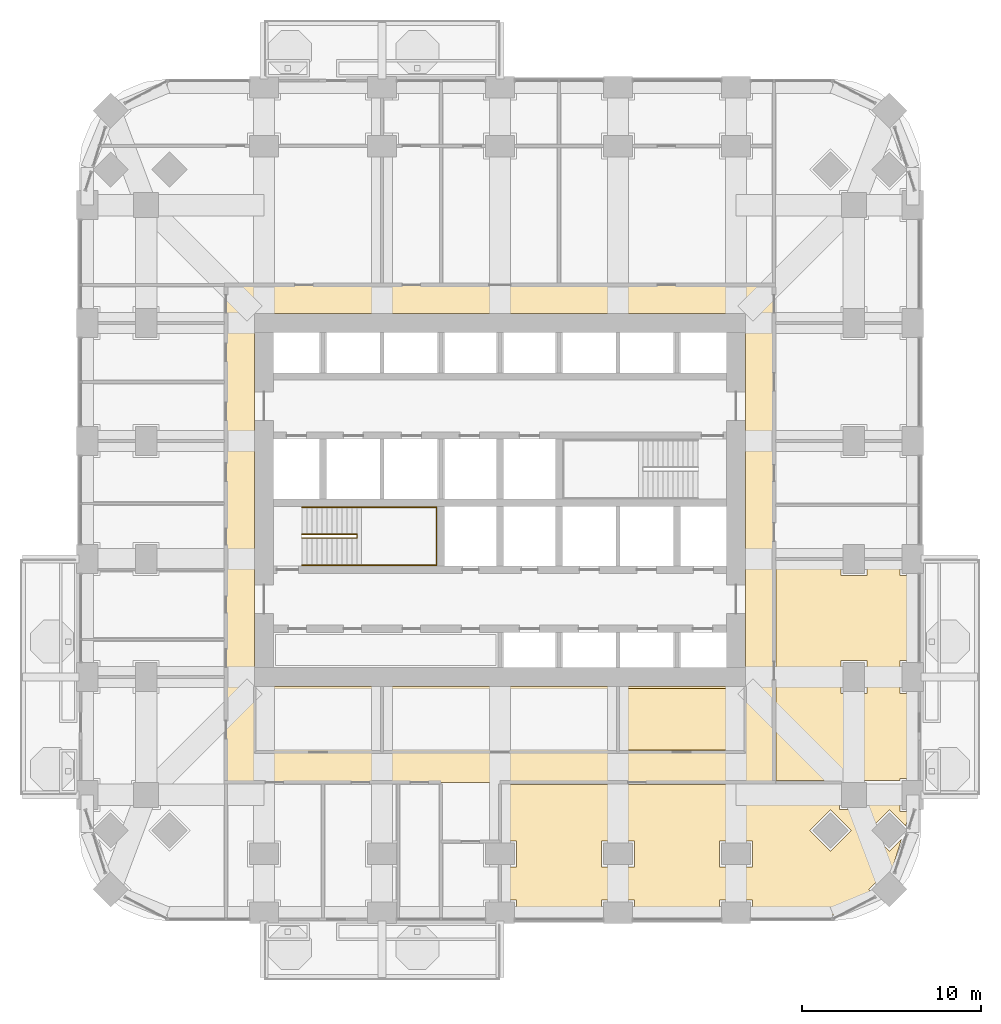
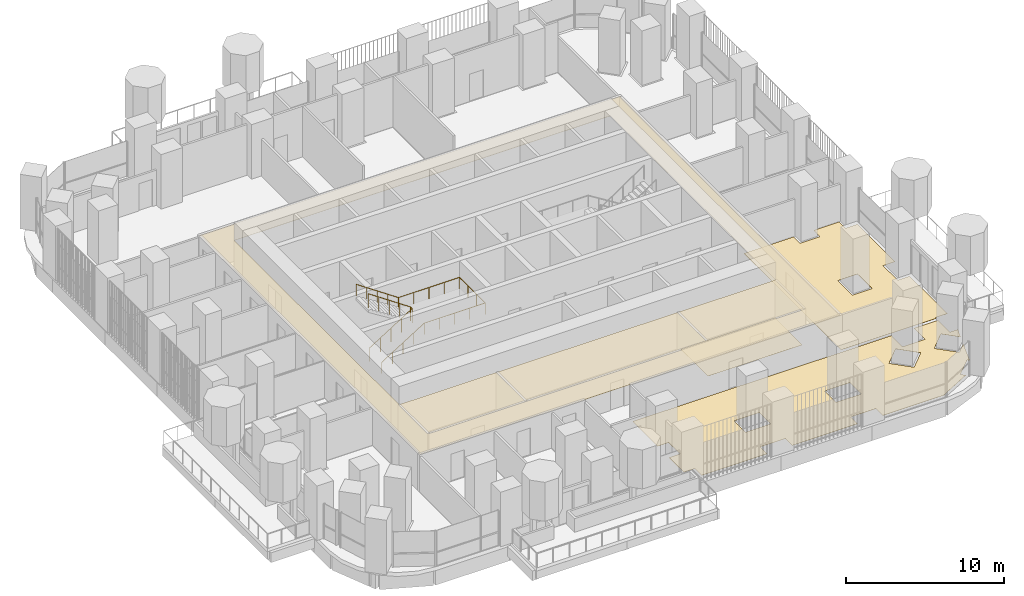
# One storey, part 18 of 21: 4 coverings, 2 railings.
"""IFC4 building model written with IfcOpenShell, lengths in metres."""

from ifc_helpers import new_model, si_unit, direction, frame, origin, place, context, subcontext, project, spatial, polyline, outline, extrude, material, layer, layer_set, type_object, element, save


model = new_model("IFC4")

# Units and contexts
model_context = context("Model", 3, precision=1e-05, world=origin(), true_north=direction((0.0, 1.0)))
body_context = subcontext(model_context, "Body", "Model", "MODEL_VIEW")
ifc_project = project(units=[si_unit("LENGTHUNIT", "METRE"), si_unit("AREAUNIT", "SQUARE_METRE"), si_unit("VOLUMEUNIT", "CUBIC_METRE"), si_unit("PLANEANGLEUNIT", "RADIAN"), si_unit("MASSUNIT", "GRAM", prefix="KILO")], contexts=[model_context])

# Site, building, storey
site_placement = place(None, origin())
site = spatial("IfcSite", under=ifc_project, at=site_placement, CompositionType="ELEMENT")
building_placement = place(site_placement, origin())
building = spatial("IfcBuilding", under=site, at=building_placement, Name="Cobogo Forest Laboratory Tower", CompositionType="ELEMENT")
storey_placement = place(building_placement, frame((0.0, 0.0, 90.60009765625)))
storey = spatial("IfcBuildingStorey", under=building, at=storey_placement, Name="L20", CompositionType="ELEMENT", Elevation=90.60009765625)

# Coverings
ifc_material_1 = material(Name="Mineral fibre ceiling tile", Category="ceiling")
ifc_layer_1 = layer(ifc_material_1, 0.02001953125)
ifc_layer_set_1 = layer_set([ifc_layer_1], Name="CL1 suspended ceiling")
covering_type_1 = type_object("IfcCoveringType", Name="CL1 suspended ceiling", PredefinedType="CEILING", material=ifc_layer_set_1)
covering_1_placement = place(storey_placement, frame((0.0, 0.0, 2.7998046875)))
element("IfcCovering", 1, at=covering_1_placement, inside=storey, type_object=covering_type_1, Name="Corridor ceiling L20", PredefinedType="CEILING", context=body_context, shape_type="SweptSolid", body=[
    extrude(outline(polyline([(11.074951171875, 7.300048828125), (11.074951171875, 35.125), (41.72509765625, 35.125), (41.72509765625, 7.300048828125), (11.074951171875, 7.300048828125)]), holes=[polyline([(40.125, 33.52490234375), (12.675048828125, 33.52490234375), (12.675048828125, 12.675048828125), (40.125, 12.675048828125), (40.125, 33.52490234375)])]), origin(), (0.0, 0.0, 1.0), 0.02001953125),
])
ifc_material_2 = material(Name="Carpet tile on raised access floor", Category="flooring")
ifc_layer_2 = layer(ifc_material_2, 0.008056640625)
ifc_layer_set_2 = layer_set([ifc_layer_2], Name="CT1 carpet tile floor 8")
covering_type_2 = type_object("IfcCoveringType", Name="CT1 carpet tile floor 8", PredefinedType="FLOORING", material=ifc_layer_set_2)
covering_2_placement = place(storey_placement, origin())
element("IfcCovering", 2, at=covering_2_placement, inside=storey, type_object=covering_type_2, Name="Carpet floor L20-09", PredefinedType="FLOORING", context=body_context, shape_type="SweptSolid", body=[
    extrude(outline(polyline([(41.844970703125, 19.679931640625), (45.47998046875, 19.679931640625), (45.47998046875, 18.8798828125), (46.919921875, 18.8798828125), (46.919921875, 19.679931640625), (48.780029296875, 19.679931640625), (48.780029296875, 18.8798828125), (49.64990234375, 18.8798828125), (49.64990234375, 14.1201171875), (48.780029296875, 14.1201171875), (48.780029296875, 12.280029296875), (49.64990234375, 12.280029296875), (49.64990234375, 7.52001953125), (48.780029296875, 7.52001953125), (48.780029296875, 7.419921875), (41.844970703125, 7.419921875), (41.844970703125, 19.679931640625)]), holes=[polyline([(45.47998046875, 12.280029296875), (46.919921875, 12.280029296875), (46.919921875, 14.1201171875), (45.47998046875, 14.1201171875), (45.47998046875, 12.280029296875)])]), origin(), (0.0, 0.0, 1.0), 0.0078125),
])

# Railings
ifc_material_3 = material(Name="Steel balustrade", Category="steel")
railing_type_1 = type_object("IfcRailingType", Name="GR stair guard 1100", PredefinedType="GUARDRAIL", material=ifc_material_3)
railing_1_placement = place(storey_placement, frame((15.324951171875, 20.969970703125, 0.1748046875)))
element("IfcRailing", 3, at=railing_1_placement, inside=storey, type_object=railing_type_1, Name="Stair guard ST1 L20", PredefinedType="GUARDRAIL", context=body_context, shape_type="SweptSolid", body=[
    extrude(outline(polyline([(0.022216796875, 0.00927734375), (0.00927734375, 0.022216796875), (-0.00927734375, 0.022216796875), (-0.022216796875, 0.00927734375), (-0.022216796875, -0.00927734375), (-0.00927734375, -0.022216796875), (0.00927734375, -0.022216796875), (0.022216796875, -0.00927734375), (0.022216796875, 0.00927734375)])), frame((0.0, 0.0, 1.077880859375), z_axis=(0.847998304005, 0.0, 0.529998940003), x_axis=(0.0, 1.0, 0.0)), (0.0, 0.0, 1.0), 3.632080078125),
    extrude(outline(polyline([(0.022216796875, 0.00927734375), (0.00927734375, 0.022216796875), (-0.00927734375, 0.022216796875), (-0.022216796875, 0.00927734375), (-0.022216796875, -0.00927734375), (-0.00927734375, -0.022216796875), (0.00927734375, -0.022216796875), (0.022216796875, -0.00927734375), (0.022216796875, 0.00927734375)])), frame((3.080078125, 0.0, 3.0029296875), z_axis=(0.0, 1.0, 0.0), x_axis=(-1.0, 0.0, 0.0)), (0.0, 0.0, 1.0), 0.2099609375),
    extrude(outline(polyline([(0.022216796875, 0.00927734375), (0.00927734375, 0.022216796875), (-0.00927734375, 0.022216796875), (-0.022216796875, 0.00927734375), (-0.022216796875, -0.00927734375), (-0.00927734375, -0.022216796875), (0.00927734375, -0.022216796875), (0.022216796875, -0.00927734375), (0.022216796875, 0.00927734375)])), frame((3.080078125, 0.2099609375, 3.0029296875), z_axis=(-0.826221800596, 0.0, 0.563344953133), x_axis=(0.0, -1.0, 0.0)), (0.0, 0.0, 1.0), 3.72802734375),
    extrude(outline(polyline([(0.019287109375, 0.008056640625), (0.008056640625, 0.019287109375), (-0.008056640625, 0.019287109375), (-0.019287109375, 0.008056640625), (-0.019287109375, -0.008056640625), (-0.008056640625, -0.019287109375), (0.008056640625, -0.019287109375), (0.019287109375, -0.008056640625), (0.019287109375, 0.008056640625)])), origin(), (0.0, 0.0, 1.0), 1.077880859375),
    extrude(outline(polyline([(0.019287109375, 0.008056640625), (0.008056640625, 0.019287109375), (-0.008056640625, 0.019287109375), (-0.019287109375, 0.008056640625), (-0.019287109375, -0.008056640625), (-0.008056640625, -0.019287109375), (0.008056640625, -0.019287109375), (0.019287109375, -0.008056640625), (0.019287109375, 0.008056640625)])), frame((0.77001953125, 0.0, 0.481201171875)), (0.0, 0.0, 1.0), 1.077880859375),
    extrude(outline(polyline([(0.019287109375, 0.008056640625), (0.008056640625, 0.019287109375), (-0.008056640625, 0.019287109375), (-0.019287109375, 0.008056640625), (-0.019287109375, -0.008056640625), (-0.008056640625, -0.019287109375), (0.008056640625, -0.019287109375), (0.019287109375, -0.008056640625), (0.019287109375, 0.008056640625)])), frame((1.5400390625, 0.0, 0.96240234375)), (0.0, 0.0, 1.0), 1.077880859375),
    extrude(outline(polyline([(0.019287109375, 0.008056640625), (0.008056640625, 0.019287109375), (-0.008056640625, 0.019287109375), (-0.019287109375, 0.008056640625), (-0.019287109375, -0.008056640625), (-0.008056640625, -0.019287109375), (0.008056640625, -0.019287109375), (0.019287109375, -0.008056640625), (0.019287109375, 0.008056640625)])), frame((2.31005859375, 0.0, 1.44384765625)), (0.0, 0.0, 1.0), 1.077880859375),
    extrude(outline(polyline([(0.019287109375, 0.008056640625), (0.008056640625, 0.019287109375), (-0.008056640625, 0.019287109375), (-0.019287109375, 0.008056640625), (-0.019287109375, -0.008056640625), (-0.008056640625, -0.019287109375), (0.008056640625, -0.019287109375), (0.019287109375, -0.008056640625), (0.019287109375, 0.008056640625)])), frame((3.080078125, 0.0, 1.925048828125)), (0.0, 0.0, 1.0), 1.077880859375),
    extrude(outline(polyline([(0.019287109375, 0.008056640625), (0.008056640625, 0.019287109375), (-0.008056640625, 0.019287109375), (-0.019287109375, 0.008056640625), (-0.019287109375, -0.008056640625), (-0.008056640625, -0.019287109375), (0.008056640625, -0.019287109375), (0.019287109375, -0.008056640625), (0.019287109375, 0.008056640625)])), frame((3.080078125, 0.2099609375, 1.925048828125)), (0.0, 0.0, 1.0), 1.077880859375),
    extrude(outline(polyline([(0.019287109375, 0.008056640625), (0.008056640625, 0.019287109375), (-0.008056640625, 0.019287109375), (-0.019287109375, 0.008056640625), (-0.019287109375, -0.008056640625), (-0.008056640625, -0.019287109375), (0.008056640625, -0.019287109375), (0.019287109375, -0.008056640625), (0.019287109375, 0.008056640625)])), frame((2.31005859375, 0.2099609375, 2.4501953125)), (0.0, 0.0, 1.0), 1.077880859375),
    extrude(outline(polyline([(0.019287109375, 0.008056640625), (0.008056640625, 0.019287109375), (-0.008056640625, 0.019287109375), (-0.019287109375, 0.008056640625), (-0.019287109375, -0.008056640625), (-0.008056640625, -0.019287109375), (0.008056640625, -0.019287109375), (0.019287109375, -0.008056640625), (0.019287109375, 0.008056640625)])), frame((1.5400390625, 0.2099609375, 2.97509765625)), (0.0, 0.0, 1.0), 1.077880859375),
    extrude(outline(polyline([(0.019287109375, 0.008056640625), (0.008056640625, 0.019287109375), (-0.008056640625, 0.019287109375), (-0.019287109375, 0.008056640625), (-0.019287109375, -0.008056640625), (-0.008056640625, -0.019287109375), (0.008056640625, -0.019287109375), (0.019287109375, -0.008056640625), (0.019287109375, 0.008056640625)])), frame((0.77001953125, 0.2099609375, 3.5)), (0.0, 0.0, 1.0), 1.077880859375),
    extrude(outline(polyline([(0.019287109375, 0.008056640625), (0.008056640625, 0.019287109375), (-0.008056640625, 0.019287109375), (-0.019287109375, 0.008056640625), (-0.019287109375, -0.008056640625), (-0.008056640625, -0.019287109375), (0.008056640625, -0.019287109375), (0.019287109375, -0.008056640625), (0.019287109375, 0.008056640625)])), frame((0.0, 0.2099609375, 4.025146484375)), (0.0, 0.0, 1.0), 1.077880859375),
])
ifc_material_4 = material(Name="Stainless steel handrail", Category="steel")
railing_type_2 = type_object("IfcRailingType", Name="HR handrail 900", PredefinedType="HANDRAIL", material=ifc_material_4)
railing_2_placement = place(storey_placement, frame((15.324951171875, 19.449951171875, 0.1748046875)))
element("IfcRailing", 4, at=railing_2_placement, inside=storey, type_object=railing_type_2, Name="Stair handrail ST1 L20", PredefinedType="HANDRAIL", context=body_context, shape_type="SweptSolid", body=[
    extrude(outline(polyline([(0.022216796875, 0.00927734375), (0.00927734375, 0.022216796875), (-0.00927734375, 0.022216796875), (-0.022216796875, 0.00927734375), (-0.022216796875, -0.00927734375), (-0.00927734375, -0.022216796875), (0.00927734375, -0.022216796875), (0.022216796875, -0.00927734375), (0.022216796875, 0.00927734375)])), frame((0.0, 0.0, 0.877685546875), z_axis=(0.847998304005, 0.0, 0.529998940003), x_axis=(0.0, 1.0, 0.0)), (0.0, 0.0, 1.0), 3.632080078125),
    extrude(outline(polyline([(0.022216796875, 0.00927734375), (0.00927734375, 0.022216796875), (-0.00927734375, 0.022216796875), (-0.022216796875, 0.00927734375), (-0.022216796875, -0.00927734375), (-0.00927734375, -0.022216796875), (0.00927734375, -0.022216796875), (0.022216796875, -0.00927734375), (0.022216796875, 0.00927734375)])), frame((3.080078125, 0.0, 2.802734375), z_axis=(1.0, 0.0, 0.0), x_axis=(0.0, 1.0, 0.0)), (0.0, 0.0, 1.0), 4.445068359375),
    extrude(outline(polyline([(0.022216796875, 0.00927734375), (0.00927734375, 0.022216796875), (-0.00927734375, 0.022216796875), (-0.022216796875, 0.00927734375), (-0.022216796875, -0.00927734375), (-0.00927734375, -0.022216796875), (0.00927734375, -0.022216796875), (0.022216796875, -0.00927734375), (0.022216796875, 0.00927734375)])), frame((7.525146484375, 0.0, 2.802734375), z_axis=(0.0, 1.0, 0.0), x_axis=(-1.0, 0.0, 0.0)), (0.0, 0.0, 1.0), 3.25),
    extrude(outline(polyline([(0.022216796875, 0.00927734375), (0.00927734375, 0.022216796875), (-0.00927734375, 0.022216796875), (-0.022216796875, 0.00927734375), (-0.022216796875, -0.00927734375), (-0.00927734375, -0.022216796875), (0.00927734375, -0.022216796875), (0.022216796875, -0.00927734375), (0.022216796875, 0.00927734375)])), frame((7.525146484375, 3.25, 2.802734375), z_axis=(-1.0, 0.0, 0.0), x_axis=(0.0, -1.0, 0.0)), (0.0, 0.0, 1.0), 4.445068359375),
    extrude(outline(polyline([(0.022216796875, 0.00927734375), (0.00927734375, 0.022216796875), (-0.00927734375, 0.022216796875), (-0.022216796875, 0.00927734375), (-0.022216796875, -0.00927734375), (-0.00927734375, -0.022216796875), (0.00927734375, -0.022216796875), (0.022216796875, -0.00927734375), (0.022216796875, 0.00927734375)])), frame((3.080078125, 3.25, 2.802734375), z_axis=(-0.826221800596, 0.0, 0.563344953133), x_axis=(0.0, -1.0, 0.0)), (0.0, 0.0, 1.0), 3.72802734375),
    extrude(outline(polyline([(0.019287109375, 0.008056640625), (0.008056640625, 0.019287109375), (-0.008056640625, 0.019287109375), (-0.019287109375, 0.008056640625), (-0.019287109375, -0.008056640625), (-0.008056640625, -0.019287109375), (0.008056640625, -0.019287109375), (0.019287109375, -0.008056640625), (0.019287109375, 0.008056640625)])), origin(), (0.0, 0.0, 1.0), 0.877685546875),
    extrude(outline(polyline([(0.019287109375, 0.008056640625), (0.008056640625, 0.019287109375), (-0.008056640625, 0.019287109375), (-0.019287109375, 0.008056640625), (-0.019287109375, -0.008056640625), (-0.008056640625, -0.019287109375), (0.008056640625, -0.019287109375), (0.019287109375, -0.008056640625), (0.019287109375, 0.008056640625)])), frame((0.77001953125, 0.0, 0.481201171875)), (0.0, 0.0, 1.0), 0.877685546875),
    extrude(outline(polyline([(0.019287109375, 0.008056640625), (0.008056640625, 0.019287109375), (-0.008056640625, 0.019287109375), (-0.019287109375, 0.008056640625), (-0.019287109375, -0.008056640625), (-0.008056640625, -0.019287109375), (0.008056640625, -0.019287109375), (0.019287109375, -0.008056640625), (0.019287109375, 0.008056640625)])), frame((1.5400390625, 0.0, 0.96240234375)), (0.0, 0.0, 1.0), 0.877685546875),
    extrude(outline(polyline([(0.019287109375, 0.008056640625), (0.008056640625, 0.019287109375), (-0.008056640625, 0.019287109375), (-0.019287109375, 0.008056640625), (-0.019287109375, -0.008056640625), (-0.008056640625, -0.019287109375), (0.008056640625, -0.019287109375), (0.019287109375, -0.008056640625), (0.019287109375, 0.008056640625)])), frame((2.31005859375, 0.0, 1.44384765625)), (0.0, 0.0, 1.0), 0.877685546875),
    extrude(outline(polyline([(0.019287109375, 0.008056640625), (0.008056640625, 0.019287109375), (-0.008056640625, 0.019287109375), (-0.019287109375, 0.008056640625), (-0.019287109375, -0.008056640625), (-0.008056640625, -0.019287109375), (0.008056640625, -0.019287109375), (0.019287109375, -0.008056640625), (0.019287109375, 0.008056640625)])), frame((3.080078125, 0.0, 1.925048828125)), (0.0, 0.0, 1.0), 0.877685546875),
    extrude(outline(polyline([(0.019287109375, 0.008056640625), (0.008056640625, 0.019287109375), (-0.008056640625, 0.019287109375), (-0.019287109375, 0.008056640625), (-0.019287109375, -0.008056640625), (-0.008056640625, -0.019287109375), (0.008056640625, -0.019287109375), (0.019287109375, -0.008056640625), (0.019287109375, 0.008056640625)])), frame((4.19140625, 0.0, 1.925048828125)), (0.0, 0.0, 1.0), 0.877685546875),
    extrude(outline(polyline([(0.019287109375, 0.008056640625), (0.008056640625, 0.019287109375), (-0.008056640625, 0.019287109375), (-0.019287109375, 0.008056640625), (-0.019287109375, -0.008056640625), (-0.008056640625, -0.019287109375), (0.008056640625, -0.019287109375), (0.019287109375, -0.008056640625), (0.019287109375, 0.008056640625)])), frame((5.302734375, 0.0, 1.925048828125)), (0.0, 0.0, 1.0), 0.877685546875),
    extrude(outline(polyline([(0.019287109375, 0.008056640625), (0.008056640625, 0.019287109375), (-0.008056640625, 0.019287109375), (-0.019287109375, 0.008056640625), (-0.019287109375, -0.008056640625), (-0.008056640625, -0.019287109375), (0.008056640625, -0.019287109375), (0.019287109375, -0.008056640625), (0.019287109375, 0.008056640625)])), frame((6.413818359375, 0.0, 1.925048828125)), (0.0, 0.0, 1.0), 0.877685546875),
    extrude(outline(polyline([(0.019287109375, 0.008056640625), (0.008056640625, 0.019287109375), (-0.008056640625, 0.019287109375), (-0.019287109375, 0.008056640625), (-0.019287109375, -0.008056640625), (-0.008056640625, -0.019287109375), (0.008056640625, -0.019287109375), (0.019287109375, -0.008056640625), (0.019287109375, 0.008056640625)])), frame((7.525146484375, 0.0, 1.925048828125)), (0.0, 0.0, 1.0), 0.877685546875),
    extrude(outline(polyline([(0.019287109375, 0.008056640625), (0.008056640625, 0.019287109375), (-0.008056640625, 0.019287109375), (-0.019287109375, 0.008056640625), (-0.019287109375, -0.008056640625), (-0.008056640625, -0.019287109375), (0.008056640625, -0.019287109375), (0.019287109375, -0.008056640625), (0.019287109375, 0.008056640625)])), frame((7.525146484375, 1.083251953125, 1.925048828125)), (0.0, 0.0, 1.0), 0.877685546875),
    extrude(outline(polyline([(0.019287109375, 0.008056640625), (0.008056640625, 0.019287109375), (-0.008056640625, 0.019287109375), (-0.019287109375, 0.008056640625), (-0.019287109375, -0.008056640625), (-0.008056640625, -0.019287109375), (0.008056640625, -0.019287109375), (0.019287109375, -0.008056640625), (0.019287109375, 0.008056640625)])), frame((7.525146484375, 2.166748046875, 1.925048828125)), (0.0, 0.0, 1.0), 0.877685546875),
    extrude(outline(polyline([(0.019287109375, 0.008056640625), (0.008056640625, 0.019287109375), (-0.008056640625, 0.019287109375), (-0.019287109375, 0.008056640625), (-0.019287109375, -0.008056640625), (-0.008056640625, -0.019287109375), (0.008056640625, -0.019287109375), (0.019287109375, -0.008056640625), (0.019287109375, 0.008056640625)])), frame((7.525146484375, 3.25, 1.925048828125)), (0.0, 0.0, 1.0), 0.877685546875),
    extrude(outline(polyline([(0.019287109375, 0.008056640625), (0.008056640625, 0.019287109375), (-0.008056640625, 0.019287109375), (-0.019287109375, 0.008056640625), (-0.019287109375, -0.008056640625), (-0.008056640625, -0.019287109375), (0.008056640625, -0.019287109375), (0.019287109375, -0.008056640625), (0.019287109375, 0.008056640625)])), frame((6.413818359375, 3.25, 1.925048828125)), (0.0, 0.0, 1.0), 0.877685546875),
    extrude(outline(polyline([(0.019287109375, 0.008056640625), (0.008056640625, 0.019287109375), (-0.008056640625, 0.019287109375), (-0.019287109375, 0.008056640625), (-0.019287109375, -0.008056640625), (-0.008056640625, -0.019287109375), (0.008056640625, -0.019287109375), (0.019287109375, -0.008056640625), (0.019287109375, 0.008056640625)])), frame((5.302734375, 3.25, 1.925048828125)), (0.0, 0.0, 1.0), 0.877685546875),
    extrude(outline(polyline([(0.019287109375, 0.008056640625), (0.008056640625, 0.019287109375), (-0.008056640625, 0.019287109375), (-0.019287109375, 0.008056640625), (-0.019287109375, -0.008056640625), (-0.008056640625, -0.019287109375), (0.008056640625, -0.019287109375), (0.019287109375, -0.008056640625), (0.019287109375, 0.008056640625)])), frame((4.19140625, 3.25, 1.925048828125)), (0.0, 0.0, 1.0), 0.877685546875),
    extrude(outline(polyline([(0.019287109375, 0.008056640625), (0.008056640625, 0.019287109375), (-0.008056640625, 0.019287109375), (-0.019287109375, 0.008056640625), (-0.019287109375, -0.008056640625), (-0.008056640625, -0.019287109375), (0.008056640625, -0.019287109375), (0.019287109375, -0.008056640625), (0.019287109375, 0.008056640625)])), frame((3.080078125, 3.25, 1.925048828125)), (0.0, 0.0, 1.0), 0.877685546875),
    extrude(outline(polyline([(0.019287109375, 0.008056640625), (0.008056640625, 0.019287109375), (-0.008056640625, 0.019287109375), (-0.019287109375, 0.008056640625), (-0.019287109375, -0.008056640625), (-0.008056640625, -0.019287109375), (0.008056640625, -0.019287109375), (0.019287109375, -0.008056640625), (0.019287109375, 0.008056640625)])), frame((2.31005859375, 3.25, 2.4501953125)), (0.0, 0.0, 1.0), 0.877685546875),
    extrude(outline(polyline([(0.019287109375, 0.008056640625), (0.008056640625, 0.019287109375), (-0.008056640625, 0.019287109375), (-0.019287109375, 0.008056640625), (-0.019287109375, -0.008056640625), (-0.008056640625, -0.019287109375), (0.008056640625, -0.019287109375), (0.019287109375, -0.008056640625), (0.019287109375, 0.008056640625)])), frame((1.5400390625, 3.25, 2.97509765625)), (0.0, 0.0, 1.0), 0.877685546875),
    extrude(outline(polyline([(0.019287109375, 0.008056640625), (0.008056640625, 0.019287109375), (-0.008056640625, 0.019287109375), (-0.019287109375, 0.008056640625), (-0.019287109375, -0.008056640625), (-0.008056640625, -0.019287109375), (0.008056640625, -0.019287109375), (0.019287109375, -0.008056640625), (0.019287109375, 0.008056640625)])), frame((0.77001953125, 3.25, 3.5)), (0.0, 0.0, 1.0), 0.877685546875),
    extrude(outline(polyline([(0.019287109375, 0.008056640625), (0.008056640625, 0.019287109375), (-0.008056640625, 0.019287109375), (-0.019287109375, 0.008056640625), (-0.019287109375, -0.008056640625), (-0.008056640625, -0.019287109375), (0.008056640625, -0.019287109375), (0.019287109375, -0.008056640625), (0.019287109375, 0.008056640625)])), frame((0.0, 3.25, 4.025146484375)), (0.0, 0.0, 1.0), 0.877685546875),
])

# Coverings
ifc_material_5 = material(Name="Epoxy resin flooring", Category="flooring")
ifc_layer_3 = layer(ifc_material_5, 0.00390625)
ifc_layer_set_3 = layer_set([ifc_layer_3], Name="LF1 epoxy laboratory floor 4")
covering_type_3 = type_object("IfcCoveringType", Name="LF1 epoxy laboratory floor 4", PredefinedType="FLOORING", material=ifc_layer_set_3)
covering_3_placement = place(storey_placement, origin())
element("IfcCovering", 5, at=covering_3_placement, inside=storey, type_object=covering_type_3, Name="Epoxy laboratory floor L20-03", PredefinedType="FLOORING", context=body_context, shape_type="SweptSolid", body=[
    extrude(outline(polyline([(40.0048828125, 9.1201171875), (33.1201171875, 9.1201171875), (33.1201171875, 12.554931640625), (40.0048828125, 12.554931640625), (40.0048828125, 9.1201171875)])), origin(), (0.0, 0.0, 1.0), 0.00390625),
])
ifc_material_6 = material(Name="Ceramic floor tile", Category="flooring")
ifc_layer_4 = layer(ifc_material_6, 0.010009765625)
ifc_layer_set_4 = layer_set([ifc_layer_4], Name="TF1 ceramic tile floor 10")
covering_type_4 = type_object("IfcCoveringType", Name="TF1 ceramic tile floor 10", PredefinedType="FLOORING", material=ifc_layer_set_4)
covering_4_placement = place(storey_placement, origin())
element("IfcCovering", 6, at=covering_4_placement, inside=storey, type_object=covering_type_4, Name="Tile floor L20-08", PredefinedType="FLOORING", context=body_context, shape_type="SweptSolid", body=[
    extrude(outline(polyline([(45.3798828125, 7.179931640625), (45.3798828125, 5.780029296875), (47.02001953125, 5.780029296875), (47.02001953125, 7.179931640625), (48.780029296875, 7.179931640625), (48.780029296875, 5.679931640625), (49.349853515625, 5.679931640625), (49.093017578125, 4.86669921875), (48.181884765625, 5.777587890625), (47.022216796875, 4.617919921875), (48.181884765625, 3.458251953125), (48.86328125, 4.1396484375), (48.30078125, 2.358642578125), (48.181884765625, 2.477783203125), (47.022216796875, 1.318115234375), (47.27294921875, 1.0673828125), (44.95068359375, -0.14990234375), (40.52001953125, -0.14990234375), (40.52001953125, 0.719970703125), (38.679931640625, 0.719970703125), (38.679931640625, -0.14990234375), (33.919921875, -0.14990234375), (33.919921875, 0.719970703125), (32.080078125, 0.719970703125), (32.080078125, -0.14990234375), (27.320068359375, -0.14990234375), (27.320068359375, 0.719970703125), (26.52001953125, 0.719970703125), (26.52001953125, 2.580078125), (27.320068359375, 2.580078125), (27.320068359375, 4.02001953125), (26.52001953125, 4.02001953125), (26.52001953125, 7.179931640625), (45.3798828125, 7.179931640625)]), holes=[polyline([(43.722412109375, 4.617919921875), (44.882080078125, 3.458251953125), (46.041748046875, 4.617919921875), (44.882080078125, 5.777587890625), (43.722412109375, 4.617919921875)]), polyline([(38.679931640625, 4.02001953125), (38.679931640625, 2.580078125), (40.52001953125, 2.580078125), (40.52001953125, 4.02001953125), (38.679931640625, 4.02001953125)]), polyline([(32.080078125, 4.02001953125), (32.080078125, 2.580078125), (33.919921875, 2.580078125), (33.919921875, 4.02001953125), (32.080078125, 4.02001953125)])]), origin(), (0.0, 0.0, 1.0), 0.010009765625),
])

save(model, "model.ifc")
